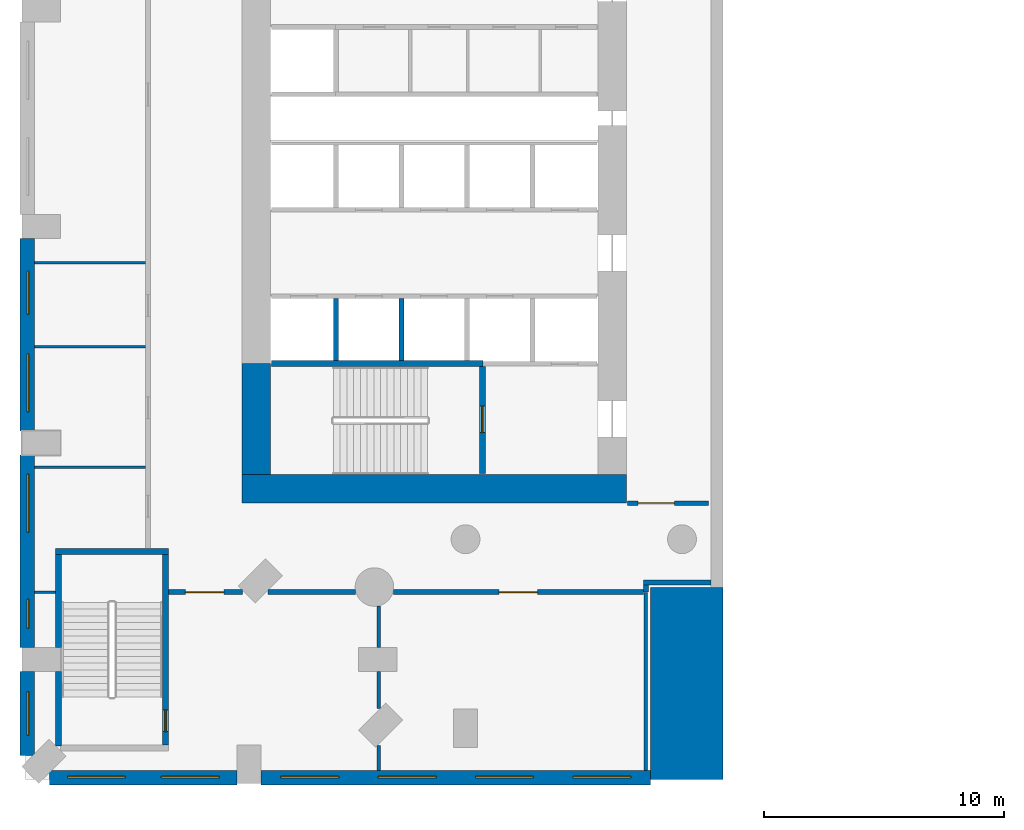
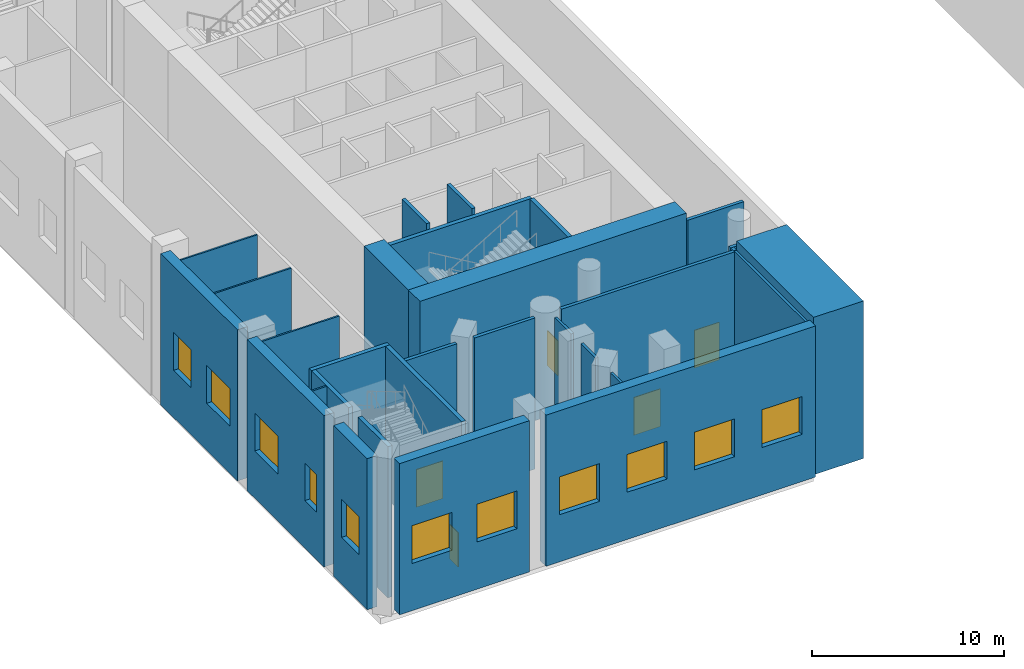
# One storey, part 2 of 16: 30 walls, 11 windows, 5 doors, 16 openings.
"""IFC4 building model written with IfcOpenShell, lengths in metres."""

from ifc_helpers import new_model, si_unit, direction, frame, frame_2d, origin, place, context, subcontext, project, spatial, rectangle, extrude, material, layer, layer_set, type_object, element, fill, save


model = new_model("IFC4")

# Units and contexts
model_context = context("Model", 3, precision=1e-05, world=origin(), true_north=direction((0.0, 1.0)))
body_context = subcontext(model_context, "Body", "Model", "MODEL_VIEW")
ifc_project = project(units=[si_unit("LENGTHUNIT", "METRE"), si_unit("AREAUNIT", "SQUARE_METRE"), si_unit("VOLUMEUNIT", "CUBIC_METRE"), si_unit("PLANEANGLEUNIT", "RADIAN"), si_unit("MASSUNIT", "GRAM", prefix="KILO")], contexts=[model_context])

# Site, building, storey
site_placement = place(None, origin())
site = spatial("IfcSite", under=ifc_project, at=site_placement, CompositionType="ELEMENT")
building_placement = place(site_placement, origin())
building = spatial("IfcBuilding", under=site, at=building_placement, Name="Cypress Arch Tower", CompositionType="ELEMENT")
storey_placement = place(building_placement, frame((0.0, 0.0, 9.0)))
storey = spatial("IfcBuildingStorey", under=building, at=storey_placement, Name="L01", CompositionType="ELEMENT", Elevation=9.0)

# Wall, openings, windows
ifc_material_1 = material(Name="Brick (red buff blend) on blockwork backing", Category="masonry")
ifc_layer_1 = layer(ifc_material_1, 0.60009765625)
ifc_layer_set_1 = layer_set([ifc_layer_1], Name="Brick base wall BW600")
wall_type_1 = type_object("IfcWallType", Name="Brick base wall BW600", PredefinedType="ELEMENTEDWALL", material=ifc_layer_set_1)
wall_1_placement = place(storey_placement, frame((-37.992919921875, -27.425048828125, 0.0), z_axis=(0.0, 0.0, 1.0), x_axis=(1.0, 0.0, 0.0)))
wall_1 = element("IfcWall", 1, at=wall_1_placement, inside=storey, type_object=wall_type_1, Name="Brick wall L01 P00.0", PredefinedType="ELEMENTEDWALL", context=body_context, shape_type="SweptSolid", body=[
    extrude(rectangle(XDim=7.79296875, YDim=0.60009765625, at=frame_2d((3.896484375, 0.0))), origin(), (0.0, 0.0, 1.0), 9.60009765625),
])
opening_1_placement = place(wall_1_placement, frame((0.748291015625, 0.0, 3.0)))
opening_1 = element("IfcOpeningElement", 2, at=opening_1_placement, cuts=wall_1, Name="Opening W240P", PredefinedType="OPENING", context=body_context, shape_type="SweptSolid", body=[
    extrude(rectangle(XDim=2.39990234375, YDim=2.39990234375, at=frame_2d((1.199951171875, 1.199951171875))), frame((0.0, 0.31005859375, 0.0), z_axis=(0.0, -1.0, 0.0), x_axis=(1.0, 0.0, 0.0)), (0.0, 0.0, 1.0), 0.6201171875),
])
opening_2_placement = place(wall_1_placement, frame((4.644775390625, 0.0, 3.0)))
opening_2 = element("IfcOpeningElement", 3, at=opening_2_placement, cuts=wall_1, Name="Opening W240P", PredefinedType="OPENING", context=body_context, shape_type="SweptSolid", body=[
    extrude(rectangle(XDim=2.39990234375, YDim=2.39990234375, at=frame_2d((1.199951171875, 1.199951171875))), frame((0.0, 0.31005859375, 0.0), z_axis=(0.0, -1.0, 0.0), x_axis=(1.0, 0.0, 0.0)), (0.0, 0.0, 1.0), 0.6201171875),
])
ifc_material_2 = material(Name="Anodised aluminium, bronze finish, clear low-emissivity double glazing", Category="aluminium")
window_type_1 = type_object("IfcWindowType", Name="Window Podium 2400x2400", PartitioningType="SINGLE_PANEL", PredefinedType="WINDOW", material=ifc_material_2)
window_1_placement = place(opening_1_placement, origin())
window_1 = element("IfcWindow", 4, at=window_1_placement, inside=storey, type_object=window_type_1, Name="Window L01 P00.0.1", OverallHeight=2.39990234375, OverallWidth=2.39990234375, PartitioningType="SINGLE_PANEL", PredefinedType="WINDOW", context=body_context, shape_type="SweptSolid", body=[
    extrude(rectangle(XDim=2.39990234375, YDim=2.39990234375, at=frame_2d((1.199951171875, 1.199951171875))), frame((0.0, 0.06005859375, 0.0), z_axis=(0.0, -1.0, 0.0), x_axis=(1.0, 0.0, 0.0)), (0.0, 0.0, 1.0), 0.06005859375),
])
fill(opening_1, window_1)
window_2_placement = place(opening_2_placement, origin())
window_2 = element("IfcWindow", 5, at=window_2_placement, inside=storey, type_object=window_type_1, Name="Window L01 P00.0.2", OverallHeight=2.39990234375, OverallWidth=2.39990234375, PartitioningType="SINGLE_PANEL", PredefinedType="WINDOW", context=body_context, shape_type="SweptSolid", body=[
    extrude(rectangle(XDim=2.39990234375, YDim=2.39990234375, at=frame_2d((1.199951171875, 1.199951171875))), frame((0.0, 0.06005859375, 0.0), z_axis=(0.0, -1.0, 0.0), x_axis=(1.0, 0.0, 0.0)), (0.0, 0.0, 1.0), 0.06005859375),
])
fill(opening_2, window_2)

wall_2_placement = place(storey_placement, frame((-29.199951171875, -27.425048828125, 0.0), z_axis=(0.0, 0.0, 1.0), x_axis=(1.0, 0.0, 0.0)))
wall_2 = element("IfcWall", 6, at=wall_2_placement, inside=storey, type_object=wall_type_1, Name="Brick wall L01 P00.1", PredefinedType="ELEMENTEDWALL", context=body_context, shape_type="SweptSolid", body=[
    extrude(rectangle(XDim=16.199951171875, YDim=0.60009765625, at=frame_2d((8.10009765625, 0.0))), origin(), (0.0, 0.0, 1.0), 9.60009765625),
])
opening_3_placement = place(wall_2_placement, frame((0.824951171875, 0.0, 3.0)))
opening_3 = element("IfcOpeningElement", 7, at=opening_3_placement, cuts=wall_2, Name="Opening W240P", PredefinedType="OPENING", context=body_context, shape_type="SweptSolid", body=[
    extrude(rectangle(XDim=2.39990234375, YDim=2.39990234375, at=frame_2d((1.199951171875, 1.199951171875))), frame((0.0, 0.31005859375, 0.0), z_axis=(0.0, -1.0, 0.0), x_axis=(1.0, 0.0, 0.0)), (0.0, 0.0, 1.0), 0.6201171875),
])
opening_4_placement = place(wall_2_placement, frame((4.875, 0.0, 3.0)))
opening_4 = element("IfcOpeningElement", 8, at=opening_4_placement, cuts=wall_2, Name="Opening W240P", PredefinedType="OPENING", context=body_context, shape_type="SweptSolid", body=[
    extrude(rectangle(XDim=2.39990234375, YDim=2.39990234375, at=frame_2d((1.199951171875, 1.199951171875))), frame((0.0, 0.31005859375, 0.0), z_axis=(0.0, -1.0, 0.0), x_axis=(1.0, 0.0, 0.0)), (0.0, 0.0, 1.0), 0.6201171875),
])
opening_5_placement = place(wall_2_placement, frame((8.925048828125, 0.0, 3.0)))
opening_5 = element("IfcOpeningElement", 9, at=opening_5_placement, cuts=wall_2, Name="Opening W240P", PredefinedType="OPENING", context=body_context, shape_type="SweptSolid", body=[
    extrude(rectangle(XDim=2.39990234375, YDim=2.39990234375, at=frame_2d((1.199951171875, 1.199951171875))), frame((0.0, 0.31005859375, 0.0), z_axis=(0.0, -1.0, 0.0), x_axis=(1.0, 0.0, 0.0)), (0.0, 0.0, 1.0), 0.6201171875),
])
opening_6_placement = place(wall_2_placement, frame((12.97509765625, 0.0, 3.0)))
opening_6 = element("IfcOpeningElement", 10, at=opening_6_placement, cuts=wall_2, Name="Opening W240P", PredefinedType="OPENING", context=body_context, shape_type="SweptSolid", body=[
    extrude(rectangle(XDim=2.39990234375, YDim=2.39990234375, at=frame_2d((1.199951171875, 1.199951171875))), frame((0.0, 0.31005859375, 0.0), z_axis=(0.0, -1.0, 0.0), x_axis=(1.0, 0.0, 0.0)), (0.0, 0.0, 1.0), 0.6201171875),
])
window_3_placement = place(opening_3_placement, origin())
window_3 = element("IfcWindow", 11, at=window_3_placement, inside=storey, type_object=window_type_1, Name="Window L01 P00.1.1", OverallHeight=2.39990234375, OverallWidth=2.39990234375, PartitioningType="SINGLE_PANEL", PredefinedType="WINDOW", context=body_context, shape_type="SweptSolid", body=[
    extrude(rectangle(XDim=2.39990234375, YDim=2.39990234375, at=frame_2d((1.199951171875, 1.199951171875))), frame((0.0, 0.06005859375, 0.0), z_axis=(0.0, -1.0, 0.0), x_axis=(1.0, 0.0, 0.0)), (0.0, 0.0, 1.0), 0.06005859375),
])
fill(opening_3, window_3)
window_4_placement = place(opening_4_placement, origin())
window_4 = element("IfcWindow", 12, at=window_4_placement, inside=storey, type_object=window_type_1, Name="Window L01 P00.1.2", OverallHeight=2.39990234375, OverallWidth=2.39990234375, PartitioningType="SINGLE_PANEL", PredefinedType="WINDOW", context=body_context, shape_type="SweptSolid", body=[
    extrude(rectangle(XDim=2.39990234375, YDim=2.39990234375, at=frame_2d((1.199951171875, 1.199951171875))), frame((0.0, 0.06005859375, 0.0), z_axis=(0.0, -1.0, 0.0), x_axis=(1.0, 0.0, 0.0)), (0.0, 0.0, 1.0), 0.06005859375),
])
fill(opening_4, window_4)
window_5_placement = place(opening_5_placement, origin())
window_5 = element("IfcWindow", 13, at=window_5_placement, inside=storey, type_object=window_type_1, Name="Window L01 P00.1.3", OverallHeight=2.39990234375, OverallWidth=2.39990234375, PartitioningType="SINGLE_PANEL", PredefinedType="WINDOW", context=body_context, shape_type="SweptSolid", body=[
    extrude(rectangle(XDim=2.39990234375, YDim=2.39990234375, at=frame_2d((1.199951171875, 1.199951171875))), frame((0.0, 0.06005859375, 0.0), z_axis=(0.0, -1.0, 0.0), x_axis=(1.0, 0.0, 0.0)), (0.0, 0.0, 1.0), 0.06005859375),
])
fill(opening_5, window_5)
window_6_placement = place(opening_6_placement, origin())
window_6 = element("IfcWindow", 14, at=window_6_placement, inside=storey, type_object=window_type_1, Name="Window L01 P00.1.4", OverallHeight=2.39990234375, OverallWidth=2.39990234375, PartitioningType="SINGLE_PANEL", PredefinedType="WINDOW", context=body_context, shape_type="SweptSolid", body=[
    extrude(rectangle(XDim=2.39990234375, YDim=2.39990234375, at=frame_2d((1.199951171875, 1.199951171875))), frame((0.0, 0.06005859375, 0.0), z_axis=(0.0, -1.0, 0.0), x_axis=(1.0, 0.0, 0.0)), (0.0, 0.0, 1.0), 0.06005859375),
])
fill(opening_6, window_6)

wall_3_placement = place(storey_placement, frame((-38.925048828125, -5.0, 0.0), z_axis=(0.0, 0.0, 1.0), x_axis=(0.0, -1.0, 0.0)))
wall_3 = element("IfcWall", 15, at=wall_3_placement, inside=storey, type_object=wall_type_1, Name="Brick wall L01 P04.4", PredefinedType="ELEMENTEDWALL", context=body_context, shape_type="SweptSolid", body=[
    extrude(rectangle(XDim=8.0, YDim=0.60009765625, at=frame_2d((4.0, 0.0))), origin(), (0.0, 0.0, 1.0), 9.60009765625),
])
opening_7_placement = place(wall_3_placement, frame((4.800048828125, 0.0, 3.0)))
opening_7 = element("IfcOpeningElement", 16, at=opening_7_placement, cuts=wall_3, Name="Opening W240P", PredefinedType="OPENING", context=body_context, shape_type="SweptSolid", body=[
    extrude(rectangle(XDim=2.39990234375, YDim=2.39990234375, at=frame_2d((1.199951171875, 1.199951171875))), frame((0.0, 0.31005859375, 0.0), z_axis=(0.0, -1.0, 0.0), x_axis=(1.0, 0.0, 0.0)), (0.0, 0.0, 1.0), 0.6201171875),
])
opening_8_placement = place(wall_3_placement, frame((1.35009765625, 0.0, 3.0)))
opening_8 = element("IfcOpeningElement", 17, at=opening_8_placement, cuts=wall_3, Name="Opening W180P", PredefinedType="OPENING", context=body_context, shape_type="SweptSolid", body=[
    extrude(rectangle(XDim=1.800048828125, YDim=2.39990234375, at=frame_2d((0.89990234375, 1.199951171875))), frame((0.0, 0.31005859375, 0.0), z_axis=(0.0, -1.0, 0.0), x_axis=(1.0, 0.0, 0.0)), (0.0, 0.0, 1.0), 0.6201171875),
])
ifc_material_3 = material(Name="Anodised aluminium, bronze finish, clear low-emissivity double glazing", Category="aluminium")
window_type_2 = type_object("IfcWindowType", Name="Window Podium 1800x2400", PartitioningType="SINGLE_PANEL", PredefinedType="WINDOW", material=ifc_material_3)
window_7_placement = place(opening_8_placement, origin())
window_7 = element("IfcWindow", 18, at=window_7_placement, inside=storey, type_object=window_type_2, Name="Window L01 P04.4.1", OverallHeight=2.39990234375, OverallWidth=1.800048828125, PartitioningType="SINGLE_PANEL", PredefinedType="WINDOW", context=body_context, shape_type="SweptSolid", body=[
    extrude(rectangle(XDim=1.800048828125, YDim=2.39990234375, at=frame_2d((0.89990234375, 1.199951171875))), frame((0.0, 0.06005859375, 0.0), z_axis=(0.0, -1.0, 0.0), x_axis=(1.0, 0.0, 0.0)), (0.0, 0.0, 1.0), 0.06005859375),
])
fill(opening_8, window_7)
window_8_placement = place(opening_7_placement, origin())
window_8 = element("IfcWindow", 19, at=window_8_placement, inside=storey, type_object=window_type_1, Name="Window L01 P04.4.2", OverallHeight=2.39990234375, OverallWidth=2.39990234375, PartitioningType="SINGLE_PANEL", PredefinedType="WINDOW", context=body_context, shape_type="SweptSolid", body=[
    extrude(rectangle(XDim=2.39990234375, YDim=2.39990234375, at=frame_2d((1.199951171875, 1.199951171875))), frame((0.0, 0.06005859375, 0.0), z_axis=(0.0, -1.0, 0.0), x_axis=(1.0, 0.0, 0.0)), (0.0, 0.0, 1.0), 0.06005859375),
])
fill(opening_7, window_8)

wall_4_placement = place(storey_placement, frame((-38.925048828125, -14.0, 0.0), z_axis=(0.0, 0.0, 1.0), x_axis=(0.0, -1.0, 0.0)))
wall_4 = element("IfcWall", 20, at=wall_4_placement, inside=storey, type_object=wall_type_1, Name="Brick wall L01 P04.5", PredefinedType="ELEMENTEDWALL", context=body_context, shape_type="SweptSolid", body=[
    extrude(rectangle(XDim=8.0, YDim=0.60009765625, at=frame_2d((4.0, 0.0))), origin(), (0.0, 0.0, 1.0), 9.60009765625),
])
opening_9_placement = place(wall_4_placement, frame((0.800048828125, 0.0, 3.0)))
opening_9 = element("IfcOpeningElement", 21, at=opening_9_placement, cuts=wall_4, Name="Opening W240P", PredefinedType="OPENING", context=body_context, shape_type="SweptSolid", body=[
    extrude(rectangle(XDim=2.39990234375, YDim=2.39990234375, at=frame_2d((1.199951171875, 1.199951171875))), frame((0.0, 0.31005859375, 0.0), z_axis=(0.0, -1.0, 0.0), x_axis=(1.0, 0.0, 0.0)), (0.0, 0.0, 1.0), 0.6201171875),
])
opening_10_placement = place(wall_4_placement, frame((6.0, 0.0, 3.0)))
opening_10 = element("IfcOpeningElement", 22, at=opening_10_placement, cuts=wall_4, Name="Opening W120P", PredefinedType="OPENING", context=body_context, shape_type="SweptSolid", body=[
    extrude(rectangle(XDim=1.199951171875, YDim=2.39990234375, at=frame_2d((0.60009765625, 1.199951171875))), frame((0.0, 0.31005859375, 0.0), z_axis=(0.0, -1.0, 0.0), x_axis=(1.0, 0.0, 0.0)), (0.0, 0.0, 1.0), 0.6201171875),
])
ifc_material_4 = material(Name="Anodised aluminium, bronze finish, clear low-emissivity double glazing", Category="aluminium")
window_type_3 = type_object("IfcWindowType", Name="Window Podium 1200x2400", PartitioningType="SINGLE_PANEL", PredefinedType="WINDOW", material=ifc_material_4)
window_9_placement = place(opening_10_placement, origin())
window_9 = element("IfcWindow", 23, at=window_9_placement, inside=storey, type_object=window_type_3, Name="Window L01 P04.5.2", OverallHeight=2.39990234375, OverallWidth=1.199951171875, PartitioningType="SINGLE_PANEL", PredefinedType="WINDOW", context=body_context, shape_type="SweptSolid", body=[
    extrude(rectangle(XDim=1.199951171875, YDim=2.39990234375, at=frame_2d((0.60009765625, 1.199951171875))), frame((0.0, 0.06005859375, 0.0), z_axis=(0.0, -1.0, 0.0), x_axis=(1.0, 0.0, 0.0)), (0.0, 0.0, 1.0), 0.06005859375),
])
fill(opening_10, window_9)
window_10_placement = place(opening_9_placement, origin())
window_10 = element("IfcWindow", 24, at=window_10_placement, inside=storey, type_object=window_type_1, Name="Window L01 P04.5.1", OverallHeight=2.39990234375, OverallWidth=2.39990234375, PartitioningType="SINGLE_PANEL", PredefinedType="WINDOW", context=body_context, shape_type="SweptSolid", body=[
    extrude(rectangle(XDim=2.39990234375, YDim=2.39990234375, at=frame_2d((1.199951171875, 1.199951171875))), frame((0.0, 0.06005859375, 0.0), z_axis=(0.0, -1.0, 0.0), x_axis=(1.0, 0.0, 0.0)), (0.0, 0.0, 1.0), 0.06005859375),
])
fill(opening_9, window_10)

# Wall, opening, window
wall_5_placement = place(storey_placement, frame((-38.925048828125, -23.0, 0.0), z_axis=(0.0, 0.0, 1.0), x_axis=(0.0, -1.0, 0.0)))
wall_5 = element("IfcWall", 25, at=wall_5_placement, inside=storey, type_object=wall_type_1, Name="Brick wall L01 P04.6", PredefinedType="ELEMENTEDWALL", context=body_context, shape_type="SweptSolid", body=[
    extrude(rectangle(XDim=3.492919921875, YDim=0.60009765625, at=frame_2d((1.74658203125, 0.0))), origin(), (0.0, 0.0, 1.0), 9.60009765625),
])
opening_11_placement = place(wall_5_placement, frame((0.846435546875, 0.0, 3.0)))
opening_11 = element("IfcOpeningElement", 26, at=opening_11_placement, cuts=wall_5, Name="Opening W180P", PredefinedType="OPENING", context=body_context, shape_type="SweptSolid", body=[
    extrude(rectangle(XDim=1.800048828125, YDim=2.39990234375, at=frame_2d((0.89990234375, 1.199951171875))), frame((0.0, 0.31005859375, 0.0), z_axis=(0.0, -1.0, 0.0), x_axis=(1.0, 0.0, 0.0)), (0.0, 0.0, 1.0), 0.6201171875),
])
window_11_placement = place(opening_11_placement, origin())
window_11 = element("IfcWindow", 27, at=window_11_placement, inside=storey, type_object=window_type_2, Name="Window L01 P04.6.1", OverallHeight=2.39990234375, OverallWidth=1.800048828125, PartitioningType="SINGLE_PANEL", PredefinedType="WINDOW", context=body_context, shape_type="SweptSolid", body=[
    extrude(rectangle(XDim=1.800048828125, YDim=2.39990234375, at=frame_2d((0.89990234375, 1.199951171875))), frame((0.0, 0.06005859375, 0.0), z_axis=(0.0, -1.0, 0.0), x_axis=(1.0, 0.0, 0.0)), (0.0, 0.0, 1.0), 0.06005859375),
])
fill(opening_11, window_11)

# Walls
ifc_material_5 = material(Name="Concrete C80/95", Category="concrete")
ifc_layer_2 = layer(ifc_material_5, 1.199951171875)
ifc_layer_set_2 = layer_set([ifc_layer_2], Name="Core wall CW1200 C80/95")
wall_type_2 = type_object("IfcWallType", Name="Core wall CW1200 C80/95", PredefinedType="SHEAR", material=ifc_layer_set_2)
wall_6_placement = place(storey_placement, frame((-30.0, -15.39990234375, 0.0), z_axis=(0.0, 0.0, 1.0), x_axis=(1.0, 0.0, 0.0)))
element("IfcWall", 28, at=wall_6_placement, inside=storey, type_object=wall_type_2, Name="Core wall", PredefinedType="SHEAR", context=body_context, shape_type="SweptSolid", body=[
    extrude(rectangle(XDim=16.0, YDim=1.199951171875, at=frame_2d((8.0, 0.0))), origin(), (0.0, 0.0, 1.0), 10.0),
])
wall_7_placement = place(storey_placement, frame((-29.39990234375, -14.800048828125, 0.0), z_axis=(0.0, 0.0, 1.0), x_axis=(0.0, 1.0, 0.0)))
element("IfcWall", 29, at=wall_7_placement, inside=storey, type_object=wall_type_2, Name="Core wall", PredefinedType="SHEAR", context=body_context, shape_type="SweptSolid", body=[
    extrude(rectangle(XDim=4.60009765625, YDim=1.199951171875, at=frame_2d((2.300048828125, 0.0))), origin(), (0.0, 0.0, 1.0), 10.0),
])

# Wall, opening, door
ifc_material_6 = material(Name="Concrete blockwork, plastered, rated", Category="masonry")
ifc_layer_3 = layer(ifc_material_6, 0.199951171875)
ifc_layer_set_3 = layer_set([ifc_layer_3], Name="Corridor wall FW200")
wall_type_3 = type_object("IfcWallType", Name="Corridor wall FW200", PredefinedType="PARTITIONING", material=ifc_layer_set_3)
wall_8_placement = place(storey_placement, frame((-33.050048828125, -19.699951171875, 0.0), z_axis=(0.0, 0.0, 1.0), x_axis=(1.0, 0.0, 0.0)))
wall_8 = element("IfcWall", 30, at=wall_8_placement, inside=storey, type_object=wall_type_3, Name="Corridor wall", PredefinedType="PARTITIONING", context=body_context, shape_type="SweptSolid", body=[
    extrude(rectangle(XDim=3.0771484375, YDim=0.199951171875, at=frame_2d((1.53857421875, 0.0))), origin(), (0.0, 0.0, 1.0), 9.597900390625),
])
opening_12_placement = place(wall_8_placement, frame((0.699951171875, 0.0, 0.0)))
opening_12 = element("IfcOpeningElement", 31, at=opening_12_placement, cuts=wall_8, Name="Opening D10", PredefinedType="OPENING", context=body_context, shape_type="SweptSolid", body=[
    extrude(rectangle(XDim=1.60009765625, YDim=2.39990234375, at=frame_2d((0.800048828125, 1.199951171875))), frame((0.0, 0.10986328125, 0.0), z_axis=(0.0, -1.0, 0.0), x_axis=(1.0, 0.0, 0.0)), (0.0, 0.0, 1.0), 0.219970703125),
])
ifc_material_7 = material(Name="Black aluminium glazed door", Category="aluminium")
door_type_1 = type_object("IfcDoorType", Name="Amenity door D10 1600x2400", OperationType="DOUBLE_DOOR_SINGLE_SWING", PredefinedType="DOOR", material=ifc_material_7)
door_1_placement = place(opening_12_placement, origin())
door_1 = element("IfcDoor", 32, at=door_1_placement, inside=storey, type_object=door_type_1, Name="Amenity door", OperationType="DOUBLE_DOOR_SINGLE_SWING", OverallHeight=2.39990234375, OverallWidth=1.60009765625, PredefinedType="DOOR", context=body_context, shape_type="SweptSolid", body=[
    extrude(rectangle(XDim=1.60009765625, YDim=2.39990234375, at=frame_2d((0.800048828125, 1.199951171875))), frame((0.0, 0.02490234375, 0.0), z_axis=(0.0, -1.0, 0.0), x_axis=(1.0, 0.0, 0.0)), (0.0, 0.0, 1.0), 0.050048828125),
])
fill(opening_12, door_1)

# Wall
wall_9_placement = place(storey_placement, frame((-28.912841796875, -19.699951171875, 0.0), z_axis=(0.0, 0.0, 1.0), x_axis=(1.0, 0.0, 0.0)))
element("IfcWall", 33, at=wall_9_placement, inside=storey, type_object=wall_type_3, Name="Corridor wall", PredefinedType="PARTITIONING", context=body_context, shape_type="SweptSolid", body=[
    extrude(rectangle(XDim=3.637451171875, YDim=0.199951171875, at=frame_2d((1.81884765625, 0.0))), origin(), (0.0, 0.0, 1.0), 9.597900390625),
])

# Wall, opening, door
wall_10_placement = place(storey_placement, frame((-23.7001953125, -19.699951171875, 0.0), z_axis=(0.0, 0.0, 1.0), x_axis=(1.0, 0.0, 0.0)))
wall_10 = element("IfcWall", 34, at=wall_10_placement, inside=storey, type_object=wall_type_3, Name="Corridor wall", PredefinedType="PARTITIONING", context=body_context, shape_type="SweptSolid", body=[
    extrude(rectangle(XDim=10.400146484375, YDim=0.199951171875, at=frame_2d((5.2001953125, 0.0))), origin(), (0.0, 0.0, 1.0), 9.597900390625),
])
opening_13_placement = place(wall_10_placement, frame((4.39990234375, 0.0, 0.0)))
opening_13 = element("IfcOpeningElement", 35, at=opening_13_placement, cuts=wall_10, Name="Opening D10", PredefinedType="OPENING", context=body_context, shape_type="SweptSolid", body=[
    extrude(rectangle(XDim=1.60009765625, YDim=2.39990234375, at=frame_2d((0.800048828125, 1.199951171875))), frame((0.0, 0.10986328125, 0.0), z_axis=(0.0, -1.0, 0.0), x_axis=(1.0, 0.0, 0.0)), (0.0, 0.0, 1.0), 0.219970703125),
])
door_2_placement = place(opening_13_placement, origin())
door_2 = element("IfcDoor", 36, at=door_2_placement, inside=storey, type_object=door_type_1, Name="Amenity door", OperationType="DOUBLE_DOOR_SINGLE_SWING", OverallHeight=2.39990234375, OverallWidth=1.60009765625, PredefinedType="DOOR", context=body_context, shape_type="SweptSolid", body=[
    extrude(rectangle(XDim=1.60009765625, YDim=2.39990234375, at=frame_2d((0.800048828125, 1.199951171875))), frame((0.0, 0.02490234375, 0.0), z_axis=(0.0, -1.0, 0.0), x_axis=(1.0, 0.0, 0.0)), (0.0, 0.0, 1.0), 0.050048828125),
])
fill(opening_13, door_2)

wall_11_placement = place(storey_placement, frame((-13.969970703125, -16.0, 0.0), z_axis=(0.0, 0.0, 1.0), x_axis=(1.0, 0.0, 0.0)))
wall_11 = element("IfcWall", 37, at=wall_11_placement, inside=storey, type_object=wall_type_3, Name="Corridor wall", PredefinedType="PARTITIONING", context=body_context, shape_type="SweptSolid", body=[
    extrude(rectangle(XDim=3.369873046875, YDim=0.199951171875, at=frame_2d((1.68505859375, 0.0))), origin(), (0.0, 0.0, 1.0), 9.597900390625),
])
opening_14_placement = place(wall_11_placement, frame((0.449951171875, 0.0, 0.0)))
opening_14 = element("IfcOpeningElement", 38, at=opening_14_placement, cuts=wall_11, Name="Opening D07", PredefinedType="OPENING", context=body_context, shape_type="SweptSolid", body=[
    extrude(rectangle(XDim=1.5, YDim=2.39990234375, at=frame_2d((0.75, 1.199951171875))), frame((0.0, 0.10986328125, 0.0), z_axis=(0.0, -1.0, 0.0), x_axis=(1.0, 0.0, 0.0)), (0.0, 0.0, 1.0), 0.219970703125),
])
ifc_material_8 = material(Name="Steel framed glazed door, fire resisting", Category="steel")
door_type_2 = type_object("IfcDoorType", Name="Lobby door D07 1500x2400", OperationType="DOUBLE_DOOR_SINGLE_SWING", PredefinedType="DOOR", material=ifc_material_8)
door_3_placement = place(opening_14_placement, origin())
door_3 = element("IfcDoor", 39, at=door_3_placement, inside=storey, type_object=door_type_2, Name="Lobby door", OperationType="DOUBLE_DOOR_SINGLE_SWING", OverallHeight=2.39990234375, OverallWidth=1.5, PredefinedType="DOOR", context=body_context, shape_type="SweptSolid", body=[
    extrude(rectangle(XDim=1.5, YDim=2.39990234375, at=frame_2d((0.75, 1.199951171875))), frame((0.0, 0.02490234375, 0.0), z_axis=(0.0, -1.0, 0.0), x_axis=(1.0, 0.0, 0.0)), (0.0, 0.0, 1.0), 0.050048828125),
])
fill(opening_14, door_3)

# Walls
wall_12_placement = place(storey_placement, frame((-13.199951171875, -19.699951171875, 0.0), z_axis=(0.0, 0.0, 1.0), x_axis=(0.0, 1.0, 0.0)))
element("IfcWall", 40, at=wall_12_placement, inside=storey, type_object=wall_type_3, Name="Corridor wall", PredefinedType="PARTITIONING", context=body_context, shape_type="SweptSolid", body=[
    extrude(rectangle(XDim=0.300048828125, YDim=0.199951171875, at=frame_2d((0.14990234375, 0.0))), origin(), (0.0, 0.0, 1.0), 9.597900390625),
])
wall_13_placement = place(storey_placement, frame((-13.300048828125, -19.300048828125, 0.0), z_axis=(0.0, 0.0, 1.0), x_axis=(1.0, 0.0, 0.0)))
element("IfcWall", 41, at=wall_13_placement, inside=storey, type_object=wall_type_3, Name="Corridor wall", PredefinedType="PARTITIONING", context=body_context, shape_type="SweptSolid", body=[
    extrude(rectangle(XDim=2.800048828125, YDim=0.199951171875, at=frame_2d((1.39990234375, 0.0))), origin(), (0.0, 0.0, 1.0), 9.597900390625),
])
ifc_material_9 = material(Name="Blockwork, plastered both sides", Category="masonry")
ifc_layer_4 = layer(ifc_material_9, 0.14990234375)
ifc_layer_set_4 = layer_set([ifc_layer_4], Name="Partition PW150")
wall_type_4 = type_object("IfcWallType", Name="Partition PW150", PredefinedType="PARTITIONING", material=ifc_layer_set_4)
wall_14_placement = place(storey_placement, frame((-24.300048828125, -27.125, 0.0), z_axis=(0.0, 0.0, 1.0), x_axis=(0.0, 1.0, 0.0)))
element("IfcWall", 42, at=wall_14_placement, inside=storey, type_object=wall_type_4, Name="Partition", PredefinedType="PARTITIONING", context=body_context, shape_type="SweptSolid", body=[
    extrude(rectangle(XDim=1.057861328125, YDim=0.14990234375, at=frame_2d((0.52880859375, 0.0))), origin(), (0.0, 0.0, 1.0), 9.597900390625),
])
wall_15_placement = place(storey_placement, frame((-24.300048828125, -24.532958984375, 0.0), z_axis=(0.0, 0.0, 1.0), x_axis=(0.0, 1.0, 0.0)))
element("IfcWall", 43, at=wall_15_placement, inside=storey, type_object=wall_type_4, Name="Partition", PredefinedType="PARTITIONING", context=body_context, shape_type="SweptSolid", body=[
    extrude(rectangle(XDim=1.532958984375, YDim=0.14990234375, at=frame_2d((0.7666015625, 0.0))), origin(), (0.0, 0.0, 1.0), 9.597900390625),
])
wall_16_placement = place(storey_placement, frame((-24.300048828125, -22.0, 0.0), z_axis=(0.0, 0.0, 1.0), x_axis=(0.0, 1.0, 0.0)))
element("IfcWall", 44, at=wall_16_placement, inside=storey, type_object=wall_type_4, Name="Partition", PredefinedType="PARTITIONING", context=body_context, shape_type="SweptSolid", body=[
    extrude(rectangle(XDim=1.72705078125, YDim=0.14990234375, at=frame_2d((0.863525390625, 0.0))), origin(), (0.0, 0.0, 1.0), 9.597900390625),
])
wall_17_placement = place(storey_placement, frame((-13.199951171875, -27.125, 0.0), z_axis=(0.0, 0.0, 1.0), x_axis=(0.0, 1.0, 0.0)))
element("IfcWall", 45, at=wall_17_placement, inside=storey, type_object=wall_type_4, Name="Partition", PredefinedType="PARTITIONING", context=body_context, shape_type="SweptSolid", body=[
    extrude(rectangle(XDim=7.405029296875, YDim=0.14990234375, at=frame_2d((3.70263671875, 0.0))), origin(), (0.0, 0.0, 1.0), 9.597900390625),
])
ifc_material_10 = material(Name="Concrete C80/95", Category="concrete")
ifc_layer_5 = layer(ifc_material_10, 3.0)
ifc_layer_set_5 = layer_set([ifc_layer_5], Name="Pier wall 3000 Concrete C80/95")
wall_type_5 = type_object("IfcWallType", Name="Pier wall 3000 Concrete C80/95", PredefinedType="SOLIDWALL", material=ifc_layer_set_5)
wall_18_placement = place(storey_placement, frame((-11.5, -27.5, 0.0), z_axis=(0.0, 0.0, 1.0), x_axis=(0.0, 1.0, 0.0)))
element("IfcWall", 46, at=wall_18_placement, inside=storey, type_object=wall_type_5, Name="Gate pier wall PW-WS L01", PredefinedType="SOLIDWALL", context=body_context, shape_type="SweptSolid", body=[
    extrude(rectangle(XDim=8.0, YDim=3.0, at=frame_2d((4.0, 0.0))), origin(), (0.0, 0.0, 1.0), 10.0),
])
ifc_material_11 = material(Name="Concrete C50/60", Category="concrete")
ifc_layer_6 = layer(ifc_material_11, 0.199951171875)
ifc_layer_set_6 = layer_set([ifc_layer_6], Name="Shaft wall SH200")
wall_type_6 = type_object("IfcWallType", Name="Shaft wall SH200", PredefinedType="SHEAR", material=ifc_layer_set_6)
for number, where, z_axis, x_axis, name in (
    (47, (-26.080078125, -10.074951171875, 0.0), (0.0, 0.0, 1.0), (0.0, 1.0, 0.0), "Shaft wall"),
    (48, (-23.360107421875, -10.074951171875, 0.0), (0.0, 0.0, 1.0), (0.0, 1.0, 0.0), "Shaft wall"),
):
    element("IfcWall", number, at=place(storey_placement, frame(where, z_axis=z_axis, x_axis=x_axis)), inside=storey, type_object=wall_type_6, Name=name, PredefinedType="SHEAR", context=body_context, shape_type="SweptSolid", body=[
        extrude(rectangle(XDim=2.574951171875, YDim=0.199951171875, at=frame_2d((1.28759765625, 0.0))), origin(), (0.0, 0.0, 1.0), 10.0),
    ])
ifc_material_12 = material(Name="Concrete C50/60", Category="concrete")
ifc_layer_7 = layer(ifc_material_12, 0.25)
ifc_layer_set_7 = layer_set([ifc_layer_7], Name="Stair enclosure wall SW250")
wall_type_7 = type_object("IfcWallType", Name="Stair enclosure wall SW250", PredefinedType="SHEAR", material=ifc_layer_set_7)
wall_19_placement = place(storey_placement, frame((-37.625, -26.09521484375, 0.0), z_axis=(0.0, 0.0, 1.0), x_axis=(0.0, 1.0, 0.0)))
element("IfcWall", 49, at=wall_19_placement, inside=storey, type_object=wall_type_7, Name="Stair enclosure wall", PredefinedType="SHEAR", context=body_context, shape_type="SweptSolid", body=[
    extrude(rectangle(XDim=3.09521484375, YDim=0.25, at=frame_2d((1.547607421875, 0.0))), origin(), (0.0, 0.0, 1.0), 9.60009765625),
])
wall_20_placement = place(storey_placement, frame((-37.625, -22.0, 0.0), z_axis=(0.0, 0.0, 1.0), x_axis=(0.0, 1.0, 0.0)))
element("IfcWall", 50, at=wall_20_placement, inside=storey, type_object=wall_type_7, Name="Stair enclosure wall", PredefinedType="SHEAR", context=body_context, shape_type="SweptSolid", body=[
    extrude(rectangle(XDim=3.8701171875, YDim=0.25, at=frame_2d((1.93505859375, 0.0))), origin(), (0.0, 0.0, 1.0), 9.60009765625),
])
wall_21_placement = place(storey_placement, frame((-37.75, -18.0048828125, 0.0), z_axis=(0.0, 0.0, 1.0), x_axis=(1.0, 0.0, 0.0)))
element("IfcWall", 51, at=wall_21_placement, inside=storey, type_object=wall_type_7, Name="Stair enclosure wall", PredefinedType="SHEAR", context=body_context, shape_type="SweptSolid", body=[
    extrude(rectangle(XDim=4.699951171875, YDim=0.25, at=frame_2d((2.35009765625, 0.0))), origin(), (0.0, 0.0, 1.0), 9.60009765625),
])

# Wall, opening, door
wall_22_placement = place(storey_placement, frame((-33.175048828125, -26.050048828125, 0.0), z_axis=(0.0, 0.0, 1.0), x_axis=(0.0, 1.0, 0.0)))
wall_22 = element("IfcWall", 52, at=wall_22_placement, inside=storey, type_object=wall_type_7, Name="Stair enclosure wall", PredefinedType="SHEAR", context=body_context, shape_type="SweptSolid", body=[
    extrude(rectangle(XDim=7.920166015625, YDim=0.25, at=frame_2d((3.9599609375, 0.0))), origin(), (0.0, 0.0, 1.0), 9.60009765625),
])
opening_15_placement = place(wall_22_placement, frame((0.550048828125, 0.0, 0.0)))
opening_15 = element("IfcOpeningElement", 53, at=opening_15_placement, cuts=wall_22, Name="Opening D15", PredefinedType="OPENING", context=body_context, shape_type="SweptSolid", body=[
    extrude(rectangle(XDim=0.89990234375, YDim=2.199951171875, at=frame_2d((0.449951171875, 1.10009765625))), frame((0.0, 0.135009765625, 0.0), z_axis=(0.0, -1.0, 0.0), x_axis=(1.0, 0.0, 0.0)), (0.0, 0.0, 1.0), 0.27001953125),
])
ifc_material_13 = material(Name="Steel door, fire resisting, panic bar", Category="steel")
door_type_3 = type_object("IfcDoorType", Name="Stair door D15 900x2200", OperationType="SINGLE_SWING_LEFT", PredefinedType="DOOR", material=ifc_material_13)
door_4_placement = place(opening_15_placement, origin())
door_4 = element("IfcDoor", 54, at=door_4_placement, inside=storey, type_object=door_type_3, Name="Stair door", OperationType="SINGLE_SWING_LEFT", OverallHeight=2.199951171875, OverallWidth=0.89990234375, PredefinedType="DOOR", context=body_context, shape_type="SweptSolid", body=[
    extrude(rectangle(XDim=0.89990234375, YDim=2.199951171875, at=frame_2d((0.449951171875, 1.10009765625))), frame((0.0, 0.02490234375, 0.0), z_axis=(0.0, -1.0, 0.0), x_axis=(1.0, 0.0, 0.0)), (0.0, 0.0, 1.0), 0.050048828125),
])
fill(opening_15, door_4)

# Wall
wall_23_placement = place(storey_placement, frame((-28.77001953125, -10.199951171875, 0.0), z_axis=(0.0, 0.0, 1.0), x_axis=(1.0, 0.0, 0.0)))
element("IfcWall", 55, at=wall_23_placement, inside=storey, type_object=wall_type_7, Name="Stair enclosure wall", PredefinedType="SHEAR", context=body_context, shape_type="SweptSolid", body=[
    extrude(rectangle(XDim=8.7900390625, YDim=0.25, at=frame_2d((4.39501953125, 0.0))), origin(), (0.0, 0.0, 1.0), 9.597900390625),
])

# Wall, opening, door
wall_24_placement = place(storey_placement, frame((-20.0, -14.77001953125, 0.0), z_axis=(0.0, 0.0, 1.0), x_axis=(0.0, 1.0, 0.0)))
wall_24 = element("IfcWall", 56, at=wall_24_placement, inside=storey, type_object=wall_type_7, Name="Stair enclosure wall", PredefinedType="SHEAR", context=body_context, shape_type="SweptSolid", body=[
    extrude(rectangle(XDim=4.445068359375, YDim=0.25, at=frame_2d((2.22265625, 0.0))), origin(), (0.0, 0.0, 1.0), 9.597900390625),
])
opening_16_placement = place(wall_24_placement, frame((1.699951171875, 0.0, 0.0)))
opening_16 = element("IfcOpeningElement", 57, at=opening_16_placement, cuts=wall_24, Name="Opening D06", PredefinedType="OPENING", context=body_context, shape_type="SweptSolid", body=[
    extrude(rectangle(XDim=1.10009765625, YDim=2.199951171875, at=frame_2d((0.550048828125, 1.10009765625))), frame((0.0, 0.135009765625, 0.0), z_axis=(0.0, -1.0, 0.0), x_axis=(1.0, 0.0, 0.0)), (0.0, 0.0, 1.0), 0.27001953125),
])
ifc_material_14 = material(Name="Steel door, fire resisting, panic bar", Category="steel")
door_type_4 = type_object("IfcDoorType", Name="Stair door D06 1100x2200", OperationType="SINGLE_SWING_LEFT", PredefinedType="DOOR", material=ifc_material_14)
door_5_placement = place(opening_16_placement, origin())
door_5 = element("IfcDoor", 58, at=door_5_placement, inside=storey, type_object=door_type_4, Name="Stair door", OperationType="SINGLE_SWING_RIGHT", OverallHeight=2.199951171875, OverallWidth=1.10009765625, PredefinedType="DOOR", context=body_context, shape_type="SweptSolid", body=[
    extrude(rectangle(XDim=1.10009765625, YDim=2.199951171875, at=frame_2d((0.550048828125, 1.10009765625))), frame((0.0, 0.02490234375, 0.0), z_axis=(0.0, -1.0, 0.0), x_axis=(1.0, 0.0, 0.0)), (0.0, 0.0, 1.0), 0.050048828125),
])
fill(opening_16, door_5)

# Walls
ifc_material_15 = material(Name="Moisture resistant board on steel studs, tiled", Category="steel")
ifc_layer_8 = layer(ifc_material_15, 0.10009765625)
ifc_layer_set_8 = layer_set([ifc_layer_8], Name="Wet wall PW100")
wall_type_8 = type_object("IfcWallType", Name="Wet wall PW100", PredefinedType="PARTITIONING", material=ifc_layer_set_8)
wall_25_placement = place(storey_placement, frame((-38.625, -19.699951171875, 0.0), z_axis=(0.0, 0.0, 1.0), x_axis=(1.0, 0.0, 0.0)))
element("IfcWall", 59, at=wall_25_placement, inside=storey, type_object=wall_type_8, Name="Wet wall", PredefinedType="PARTITIONING", context=body_context, shape_type="SweptSolid", body=[
    extrude(rectangle(XDim=0.875, YDim=0.10009765625, at=frame_2d((0.4375, 0.0))), origin(), (0.0, 0.0, 1.0), 9.597900390625),
])
for number, where, z_axis, x_axis, name in (
    (60, (-38.625, -14.5, 0.0), (0.0, 0.0, 1.0), (1.0, 0.0, 0.0), "Wet wall"),
    (61, (-38.625, -9.5, 0.0), (0.0, 0.0, 1.0), (1.0, 0.0, 0.0), "Wet wall"),
    (62, (-38.625, -6.0, 0.0), (0.0, 0.0, 1.0), (1.0, 0.0, 0.0), "Wet wall"),
):
    element("IfcWall", number, at=place(storey_placement, frame(where, z_axis=z_axis, x_axis=x_axis)), inside=storey, type_object=wall_type_8, Name=name, PredefinedType="PARTITIONING", context=body_context, shape_type="SweptSolid", body=[
        extrude(rectangle(XDim=4.625, YDim=0.10009765625, at=frame_2d((2.3125, 0.0))), origin(), (0.0, 0.0, 1.0), 9.597900390625),
    ])

save(model, "model.ifc")
